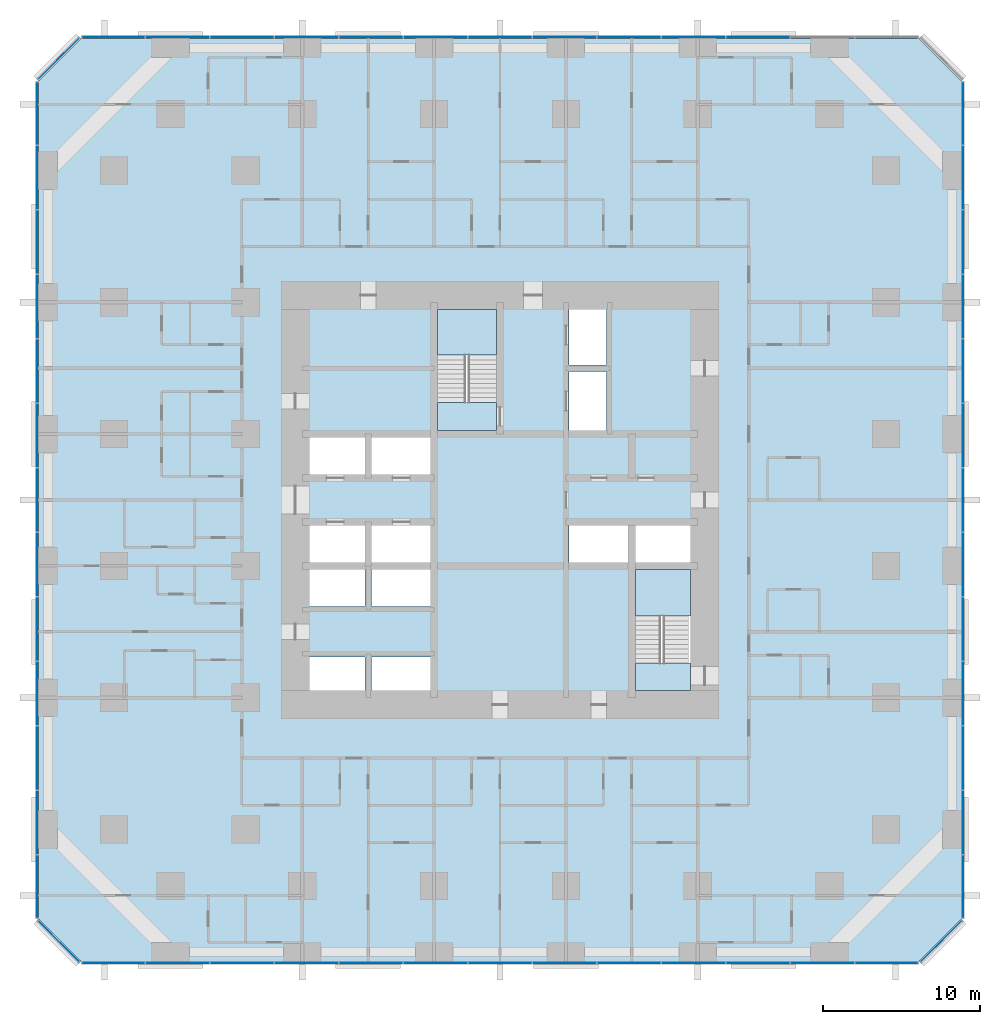
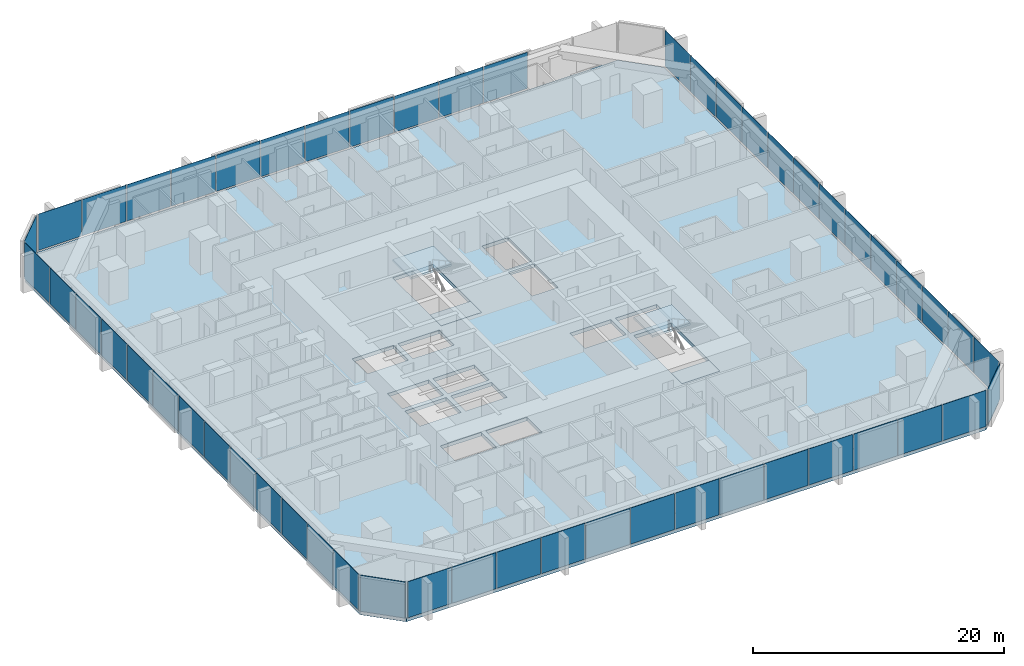
# One storey, part 9 of 17: 53 plates, 5 slabs, 9 elements without a shape of their own.
"""IFC4 building model written with IfcOpenShell, lengths in metres."""

from ifc_helpers import new_model, si_unit, direction, frame, origin, origin_2d, place, context, subcontext, project, spatial, polyline, rectangle, outline, extrude, material, layer, layer_set, type_object, element, aggregate, save


model = new_model("IFC4")

# Units and contexts
model_context = context("Model", 3, precision=1e-05, world=origin(), true_north=direction((0.0, 1.0)))
body_context = subcontext(model_context, "Body", "Model", "MODEL_VIEW")
ifc_project = project(units=[si_unit("LENGTHUNIT", "METRE"), si_unit("AREAUNIT", "SQUARE_METRE"), si_unit("VOLUMEUNIT", "CUBIC_METRE"), si_unit("PLANEANGLEUNIT", "RADIAN"), si_unit("MASSUNIT", "GRAM", prefix="KILO")], contexts=[model_context])

# Site, building, storey
site_placement = place(None, origin())
site = spatial("IfcSite", under=ifc_project, at=site_placement, CompositionType="ELEMENT")
building_placement = place(site_placement, origin())
building = spatial("IfcBuilding", under=site, at=building_placement, Name="Dunama Terrace Hotel", CompositionType="ELEMENT")
storey_placement = place(building_placement, frame((0.0, 0.0, 48.60009765625)))
storey = spatial("IfcBuildingStorey", under=building, at=storey_placement, Name="L11", CompositionType="ELEMENT", Elevation=48.60009765625)

# Curtain wall, plates
ifc_material_1 = material(Name="Aluminium curtain wall system", Category="aluminium")
curtain_wall_type = type_object("IfcCurtainWallType", Name="Unitised fritted glass wall CW-A", PredefinedType="NOTDEFINED", material=ifc_material_1)
curtain_wall_1_placement = place(storey_placement, origin())
curtain_wall_1 = element("IfcCurtainWall", 1, at=curtain_wall_1_placement, inside=storey, type_object=curtain_wall_type, Name="Unitised fritted glass wall CW-A L11", PredefinedType="NOTDEFINED")
ifc_material_2 = material(Name="Laminated glass", Category="glass")
ifc_layer_1 = layer(ifc_material_2, 0.030029296875)
ifc_layer_set_1 = layer_set([ifc_layer_1], Name="CWA clear glass panel")
plate_type_1 = type_object("IfcPlateType", Name="CWA clear glass panel", PredefinedType="CURTAIN_PANEL", material=ifc_layer_set_1)
plate_1_placement = place(storey_placement, frame((12.968994140625, -0.10009765625, 0.074951171875), z_axis=(0.0, 0.0, 1.0), x_axis=(1.0, 0.0, 0.0)))
plate_1 = element("IfcPlate", 2, at=plate_1_placement, type_object=plate_type_1, Name="CWA clear glass panel", PredefinedType="CURTAIN_PANEL", context=body_context, shape_type="SweptSolid", body=[
    extrude(rectangle(XDim=4.042724609375, YDim=0.030029296875, at=origin_2d()), origin(), (0.0, 0.0, 1.0), 3.52490234375),
])
plate_2_placement = place(storey_placement, frame((25.2919921875, -0.10009765625, 0.074951171875), z_axis=(0.0, 0.0, 1.0), x_axis=(1.0, 0.0, 0.0)))
plate_2 = element("IfcPlate", 3, at=plate_2_placement, type_object=plate_type_1, Name="CWA clear glass panel", PredefinedType="CURTAIN_PANEL", context=body_context, shape_type="SweptSolid", body=[
    extrude(rectangle(XDim=4.042724609375, YDim=0.030029296875, at=origin_2d()), origin(), (0.0, 0.0, 1.0), 3.52490234375),
])
plate_3_placement = place(storey_placement, frame((37.614990234375, -0.10009765625, 0.074951171875), z_axis=(0.0, 0.0, 1.0), x_axis=(1.0, 0.0, 0.0)))
plate_3 = element("IfcPlate", 4, at=plate_3_placement, type_object=plate_type_1, Name="CWA clear glass panel", PredefinedType="CURTAIN_PANEL", context=body_context, shape_type="SweptSolid", body=[
    extrude(rectangle(XDim=4.042724609375, YDim=0.030029296875, at=origin_2d()), origin(), (0.0, 0.0, 1.0), 3.52490234375),
])
plate_4_placement = place(storey_placement, frame((49.93798828125, -0.10009765625, 0.074951171875), z_axis=(0.0, 0.0, 1.0), x_axis=(1.0, 0.0, 0.0)))
plate_4 = element("IfcPlate", 5, at=plate_4_placement, type_object=plate_type_1, Name="CWA clear glass panel", PredefinedType="CURTAIN_PANEL", context=body_context, shape_type="SweptSolid", body=[
    extrude(rectangle(XDim=4.042724609375, YDim=0.030029296875, at=origin_2d()), origin(), (0.0, 0.0, 1.0), 3.52490234375),
])

curtain_wall_2_placement = place(storey_placement, origin())
curtain_wall_2 = element("IfcCurtainWall", 6, at=curtain_wall_2_placement, inside=storey, type_object=curtain_wall_type, Name="Unitised fritted glass wall CW-A L11", PredefinedType="NOTDEFINED")
plate_5_placement = place(storey_placement, frame((58.89990234375, 4.77001953125, 0.074951171875), z_axis=(0.0, 0.0, 1.0), x_axis=(0.0, 1.0, 0.0)))
plate_5 = element("IfcPlate", 7, at=plate_5_placement, type_object=plate_type_1, Name="CWA clear glass panel", PredefinedType="CURTAIN_PANEL", context=body_context, shape_type="SweptSolid", body=[
    extrude(rectangle(XDim=4.01025390625, YDim=0.030029296875, at=origin_2d()), origin(), (0.0, 0.0, 1.0), 3.52490234375),
])
plate_6_placement = place(storey_placement, frame((58.89990234375, 17.076904296875, 0.074951171875), z_axis=(0.0, 0.0, 1.0), x_axis=(0.0, 1.0, 0.0)))
plate_6 = element("IfcPlate", 8, at=plate_6_placement, type_object=plate_type_1, Name="CWA clear glass panel", PredefinedType="CURTAIN_PANEL", context=body_context, shape_type="SweptSolid", body=[
    extrude(rectangle(XDim=4.042724609375, YDim=0.030029296875, at=origin_2d()), origin(), (0.0, 0.0, 1.0), 3.52490234375),
])
plate_7_placement = place(storey_placement, frame((58.89990234375, 29.39990234375, 0.074951171875), z_axis=(0.0, 0.0, 1.0), x_axis=(0.0, 1.0, 0.0)))
plate_7 = element("IfcPlate", 9, at=plate_7_placement, type_object=plate_type_1, Name="CWA clear glass panel", PredefinedType="CURTAIN_PANEL", context=body_context, shape_type="SweptSolid", body=[
    extrude(rectangle(XDim=4.042724609375, YDim=0.030029296875, at=origin_2d()), origin(), (0.0, 0.0, 1.0), 3.52490234375),
])
plate_8_placement = place(storey_placement, frame((58.89990234375, 41.722900390625, 0.074951171875), z_axis=(0.0, 0.0, 1.0), x_axis=(0.0, 1.0, 0.0)))
plate_8 = element("IfcPlate", 10, at=plate_8_placement, type_object=plate_type_1, Name="CWA clear glass panel", PredefinedType="CURTAIN_PANEL", context=body_context, shape_type="SweptSolid", body=[
    extrude(rectangle(XDim=4.042724609375, YDim=0.030029296875, at=origin_2d()), origin(), (0.0, 0.0, 1.0), 3.52490234375),
])
plate_9_placement = place(storey_placement, frame((58.89990234375, 54.030029296875, 0.074951171875), z_axis=(0.0, 0.0, 1.0), x_axis=(0.0, 1.0, 0.0)))
plate_9 = element("IfcPlate", 11, at=plate_9_placement, type_object=plate_type_1, Name="CWA clear glass panel", PredefinedType="CURTAIN_PANEL", context=body_context, shape_type="SweptSolid", body=[
    extrude(rectangle(XDim=4.01025390625, YDim=0.030029296875, at=origin_2d()), origin(), (0.0, 0.0, 1.0), 3.52490234375),
])

curtain_wall_3_placement = place(storey_placement, origin())
curtain_wall_3 = element("IfcCurtainWall", 12, at=curtain_wall_3_placement, inside=storey, type_object=curtain_wall_type, Name="Unitised fritted glass wall CW-A L11", PredefinedType="NOTDEFINED")
plate_10_placement = place(storey_placement, frame((37.614990234375, 58.89990234375, 0.074951171875), z_axis=(0.0, 0.0, 1.0), x_axis=(-1.0, 0.0, 0.0)))
plate_10 = element("IfcPlate", 13, at=plate_10_placement, type_object=plate_type_1, Name="CWA clear glass panel", PredefinedType="CURTAIN_PANEL", context=body_context, shape_type="SweptSolid", body=[
    extrude(rectangle(XDim=4.042724609375, YDim=0.030029296875, at=origin_2d()), origin(), (0.0, 0.0, 1.0), 3.52490234375),
])
plate_11_placement = place(storey_placement, frame((25.2919921875, 58.89990234375, 0.074951171875), z_axis=(0.0, 0.0, 1.0), x_axis=(-1.0, 0.0, 0.0)))
plate_11 = element("IfcPlate", 14, at=plate_11_placement, type_object=plate_type_1, Name="CWA clear glass panel", PredefinedType="CURTAIN_PANEL", context=body_context, shape_type="SweptSolid", body=[
    extrude(rectangle(XDim=4.042724609375, YDim=0.030029296875, at=origin_2d()), origin(), (0.0, 0.0, 1.0), 3.52490234375),
])
plate_12_placement = place(storey_placement, frame((12.968994140625, 58.89990234375, 0.074951171875), z_axis=(0.0, 0.0, 1.0), x_axis=(-1.0, 0.0, 0.0)))
plate_12 = element("IfcPlate", 15, at=plate_12_placement, type_object=plate_type_1, Name="CWA clear glass panel", PredefinedType="CURTAIN_PANEL", context=body_context, shape_type="SweptSolid", body=[
    extrude(rectangle(XDim=4.042724609375, YDim=0.030029296875, at=origin_2d()), origin(), (0.0, 0.0, 1.0), 3.52490234375),
])

# Curtain wall, plate
curtain_wall_4_placement = place(storey_placement, origin())
curtain_wall_4 = element("IfcCurtainWall", 16, at=curtain_wall_4_placement, inside=storey, type_object=curtain_wall_type, Name="Unitised fritted glass wall CW-A L11", PredefinedType="NOTDEFINED")
plate_13_placement = place(storey_placement, frame((1.279052734375, 57.52099609375, 0.074951171875), z_axis=(0.0, 0.0, 1.0), x_axis=(-0.707106781187, -0.707106781187, 0.0)))
plate_13 = element("IfcPlate", 17, at=plate_13_placement, type_object=plate_type_1, Name="CWA clear glass panel", PredefinedType="CURTAIN_PANEL", context=body_context, shape_type="SweptSolid", body=[
    extrude(rectangle(XDim=3.6884765625, YDim=0.030029296875, at=origin_2d()), origin(), (0.0, 0.0, 1.0), 3.52490234375),
])
aggregate(curtain_wall_4, [plate_13])

# Curtain wall, plates
curtain_wall_5_placement = place(storey_placement, origin())
curtain_wall_5 = element("IfcCurtainWall", 18, at=curtain_wall_5_placement, inside=storey, type_object=curtain_wall_type, Name="Unitised fritted glass wall CW-A L11", PredefinedType="NOTDEFINED")
plate_14_placement = place(storey_placement, frame((-0.10009765625, 45.8310546875, 0.074951171875), z_axis=(0.0, 0.0, 1.0), x_axis=(0.0, -1.0, 0.0)))
plate_14 = element("IfcPlate", 19, at=plate_14_placement, type_object=plate_type_1, Name="CWA clear glass panel", PredefinedType="CURTAIN_PANEL", context=body_context, shape_type="SweptSolid", body=[
    extrude(rectangle(XDim=4.042724609375, YDim=0.030029296875, at=origin_2d()), origin(), (0.0, 0.0, 1.0), 3.52490234375),
])
plate_15_placement = place(storey_placement, frame((-0.10009765625, 33.508056640625, 0.074951171875), z_axis=(0.0, 0.0, 1.0), x_axis=(0.0, -1.0, 0.0)))
plate_15 = element("IfcPlate", 20, at=plate_15_placement, type_object=plate_type_1, Name="CWA clear glass panel", PredefinedType="CURTAIN_PANEL", context=body_context, shape_type="SweptSolid", body=[
    extrude(rectangle(XDim=4.042724609375, YDim=0.030029296875, at=origin_2d()), origin(), (0.0, 0.0, 1.0), 3.52490234375),
])
plate_16_placement = place(storey_placement, frame((-0.10009765625, 21.18505859375, 0.074951171875), z_axis=(0.0, 0.0, 1.0), x_axis=(0.0, -1.0, 0.0)))
plate_16 = element("IfcPlate", 21, at=plate_16_placement, type_object=plate_type_1, Name="CWA clear glass panel", PredefinedType="CURTAIN_PANEL", context=body_context, shape_type="SweptSolid", body=[
    extrude(rectangle(XDim=4.042724609375, YDim=0.030029296875, at=origin_2d()), origin(), (0.0, 0.0, 1.0), 3.52490234375),
])
plate_17_placement = place(storey_placement, frame((-0.10009765625, 8.862060546875, 0.074951171875), z_axis=(0.0, 0.0, 1.0), x_axis=(0.0, -1.0, 0.0)))
plate_17 = element("IfcPlate", 22, at=plate_17_placement, type_object=plate_type_1, Name="CWA clear glass panel", PredefinedType="CURTAIN_PANEL", context=body_context, shape_type="SweptSolid", body=[
    extrude(rectangle(XDim=4.042724609375, YDim=0.030029296875, at=origin_2d()), origin(), (0.0, 0.0, 1.0), 3.52490234375),
])

# Plate
ifc_material_3 = material(Name="Fritted laminated glass", Category="glass")
ifc_layer_2 = layer(ifc_material_3, 0.030029296875)
ifc_layer_set_2 = layer_set([ifc_layer_2], Name="CWA fritted glass panel")
plate_type_2 = type_object("IfcPlateType", Name="CWA fritted glass panel", PredefinedType="CURTAIN_PANEL", material=ifc_layer_set_2)
plate_18_placement = place(storey_placement, frame((8.862060546875, -0.10009765625, 0.074951171875), z_axis=(0.0, 0.0, 1.0), x_axis=(1.0, 0.0, 0.0)))
plate_18 = element("IfcPlate", 23, at=plate_18_placement, type_object=plate_type_2, Name="CWA fritted glass panel", PredefinedType="CURTAIN_PANEL", context=body_context, shape_type="SweptSolid", body=[
    extrude(rectangle(XDim=4.042724609375, YDim=0.030029296875, at=origin_2d()), origin(), (0.0, 0.0, 1.0), 3.52490234375),
])

plate_19_placement = place(storey_placement, frame((21.18505859375, -0.10009765625, 0.074951171875), z_axis=(0.0, 0.0, 1.0), x_axis=(1.0, 0.0, 0.0)))
plate_19 = element("IfcPlate", 24, at=plate_19_placement, type_object=plate_type_2, Name="CWA fritted glass panel", PredefinedType="CURTAIN_PANEL", context=body_context, shape_type="SweptSolid", body=[
    extrude(rectangle(XDim=4.042724609375, YDim=0.030029296875, at=origin_2d()), origin(), (0.0, 0.0, 1.0), 3.52490234375),
])

plate_20_placement = place(storey_placement, frame((33.508056640625, -0.10009765625, 0.074951171875), z_axis=(0.0, 0.0, 1.0), x_axis=(1.0, 0.0, 0.0)))
plate_20 = element("IfcPlate", 25, at=plate_20_placement, type_object=plate_type_2, Name="CWA fritted glass panel", PredefinedType="CURTAIN_PANEL", context=body_context, shape_type="SweptSolid", body=[
    extrude(rectangle(XDim=4.042724609375, YDim=0.030029296875, at=origin_2d()), origin(), (0.0, 0.0, 1.0), 3.52490234375),
])

plate_21_placement = place(storey_placement, frame((45.8310546875, -0.10009765625, 0.074951171875), z_axis=(0.0, 0.0, 1.0), x_axis=(1.0, 0.0, 0.0)))
plate_21 = element("IfcPlate", 26, at=plate_21_placement, type_object=plate_type_2, Name="CWA fritted glass panel", PredefinedType="CURTAIN_PANEL", context=body_context, shape_type="SweptSolid", body=[
    extrude(rectangle(XDim=4.042724609375, YDim=0.030029296875, at=origin_2d()), origin(), (0.0, 0.0, 1.0), 3.52490234375),
])

# Curtain wall, plate
curtain_wall_6_placement = place(storey_placement, origin())
curtain_wall_6 = element("IfcCurtainWall", 27, at=curtain_wall_6_placement, inside=storey, type_object=curtain_wall_type, Name="Unitised fritted glass wall CW-A L11", PredefinedType="NOTDEFINED")
plate_22_placement = place(storey_placement, frame((57.52099609375, 1.279052734375, 0.074951171875), z_axis=(0.0, 0.0, 1.0), x_axis=(0.707106781187, 0.707106781187, 0.0)))
plate_22 = element("IfcPlate", 28, at=plate_22_placement, type_object=plate_type_2, Name="CWA fritted glass panel", PredefinedType="CURTAIN_PANEL", context=body_context, shape_type="SweptSolid", body=[
    extrude(rectangle(XDim=3.6884765625, YDim=0.030029296875, at=origin_2d()), origin(), (0.0, 0.0, 1.0), 3.52490234375),
])
aggregate(curtain_wall_6, [plate_22])

# Plate
plate_23_placement = place(storey_placement, frame((58.89990234375, 12.968994140625, 0.074951171875), z_axis=(0.0, 0.0, 1.0), x_axis=(0.0, 1.0, 0.0)))
plate_23 = element("IfcPlate", 29, at=plate_23_placement, type_object=plate_type_2, Name="CWA fritted glass panel", PredefinedType="CURTAIN_PANEL", context=body_context, shape_type="SweptSolid", body=[
    extrude(rectangle(XDim=4.042724609375, YDim=0.030029296875, at=origin_2d()), origin(), (0.0, 0.0, 1.0), 3.52490234375),
])

plate_24_placement = place(storey_placement, frame((58.89990234375, 25.2919921875, 0.074951171875), z_axis=(0.0, 0.0, 1.0), x_axis=(0.0, 1.0, 0.0)))
plate_24 = element("IfcPlate", 30, at=plate_24_placement, type_object=plate_type_2, Name="CWA fritted glass panel", PredefinedType="CURTAIN_PANEL", context=body_context, shape_type="SweptSolid", body=[
    extrude(rectangle(XDim=4.042724609375, YDim=0.030029296875, at=origin_2d()), origin(), (0.0, 0.0, 1.0), 3.52490234375),
])

plate_25_placement = place(storey_placement, frame((58.89990234375, 37.614990234375, 0.074951171875), z_axis=(0.0, 0.0, 1.0), x_axis=(0.0, 1.0, 0.0)))
plate_25 = element("IfcPlate", 31, at=plate_25_placement, type_object=plate_type_2, Name="CWA fritted glass panel", PredefinedType="CURTAIN_PANEL", context=body_context, shape_type="SweptSolid", body=[
    extrude(rectangle(XDim=4.042724609375, YDim=0.030029296875, at=origin_2d()), origin(), (0.0, 0.0, 1.0), 3.52490234375),
])

plate_26_placement = place(storey_placement, frame((58.89990234375, 49.93798828125, 0.074951171875), z_axis=(0.0, 0.0, 1.0), x_axis=(0.0, 1.0, 0.0)))
plate_26 = element("IfcPlate", 32, at=plate_26_placement, type_object=plate_type_2, Name="CWA fritted glass panel", PredefinedType="CURTAIN_PANEL", context=body_context, shape_type="SweptSolid", body=[
    extrude(rectangle(XDim=4.042724609375, YDim=0.030029296875, at=origin_2d()), origin(), (0.0, 0.0, 1.0), 3.52490234375),
])

plate_27_placement = place(storey_placement, frame((41.722900390625, 58.89990234375, 0.074951171875), z_axis=(0.0, 0.0, 1.0), x_axis=(-1.0, 0.0, 0.0)))
plate_27 = element("IfcPlate", 33, at=plate_27_placement, type_object=plate_type_2, Name="CWA fritted glass panel", PredefinedType="CURTAIN_PANEL", context=body_context, shape_type="SweptSolid", body=[
    extrude(rectangle(XDim=4.042724609375, YDim=0.030029296875, at=origin_2d()), origin(), (0.0, 0.0, 1.0), 3.52490234375),
])

plate_28_placement = place(storey_placement, frame((29.39990234375, 58.89990234375, 0.074951171875), z_axis=(0.0, 0.0, 1.0), x_axis=(-1.0, 0.0, 0.0)))
plate_28 = element("IfcPlate", 34, at=plate_28_placement, type_object=plate_type_2, Name="CWA fritted glass panel", PredefinedType="CURTAIN_PANEL", context=body_context, shape_type="SweptSolid", body=[
    extrude(rectangle(XDim=4.042724609375, YDim=0.030029296875, at=origin_2d()), origin(), (0.0, 0.0, 1.0), 3.52490234375),
])

plate_29_placement = place(storey_placement, frame((17.076904296875, 58.89990234375, 0.074951171875), z_axis=(0.0, 0.0, 1.0), x_axis=(-1.0, 0.0, 0.0)))
plate_29 = element("IfcPlate", 35, at=plate_29_placement, type_object=plate_type_2, Name="CWA fritted glass panel", PredefinedType="CURTAIN_PANEL", context=body_context, shape_type="SweptSolid", body=[
    extrude(rectangle(XDim=4.042724609375, YDim=0.030029296875, at=origin_2d()), origin(), (0.0, 0.0, 1.0), 3.52490234375),
])

plate_30_placement = place(storey_placement, frame((4.77001953125, 58.89990234375, 0.074951171875), z_axis=(0.0, 0.0, 1.0), x_axis=(-1.0, 0.0, 0.0)))
plate_30 = element("IfcPlate", 36, at=plate_30_placement, type_object=plate_type_2, Name="CWA fritted glass panel", PredefinedType="CURTAIN_PANEL", context=body_context, shape_type="SweptSolid", body=[
    extrude(rectangle(XDim=4.01025390625, YDim=0.030029296875, at=origin_2d()), origin(), (0.0, 0.0, 1.0), 3.52490234375),
])

plate_31_placement = place(storey_placement, frame((-0.10009765625, 49.93798828125, 0.074951171875), z_axis=(0.0, 0.0, 1.0), x_axis=(0.0, -1.0, 0.0)))
plate_31 = element("IfcPlate", 37, at=plate_31_placement, type_object=plate_type_2, Name="CWA fritted glass panel", PredefinedType="CURTAIN_PANEL", context=body_context, shape_type="SweptSolid", body=[
    extrude(rectangle(XDim=4.042724609375, YDim=0.030029296875, at=origin_2d()), origin(), (0.0, 0.0, 1.0), 3.52490234375),
])

plate_32_placement = place(storey_placement, frame((-0.10009765625, 37.614990234375, 0.074951171875), z_axis=(0.0, 0.0, 1.0), x_axis=(0.0, -1.0, 0.0)))
plate_32 = element("IfcPlate", 38, at=plate_32_placement, type_object=plate_type_2, Name="CWA fritted glass panel", PredefinedType="CURTAIN_PANEL", context=body_context, shape_type="SweptSolid", body=[
    extrude(rectangle(XDim=4.042724609375, YDim=0.030029296875, at=origin_2d()), origin(), (0.0, 0.0, 1.0), 3.52490234375),
])

plate_33_placement = place(storey_placement, frame((-0.10009765625, 25.2919921875, 0.074951171875), z_axis=(0.0, 0.0, 1.0), x_axis=(0.0, -1.0, 0.0)))
plate_33 = element("IfcPlate", 39, at=plate_33_placement, type_object=plate_type_2, Name="CWA fritted glass panel", PredefinedType="CURTAIN_PANEL", context=body_context, shape_type="SweptSolid", body=[
    extrude(rectangle(XDim=4.042724609375, YDim=0.030029296875, at=origin_2d()), origin(), (0.0, 0.0, 1.0), 3.52490234375),
])

plate_34_placement = place(storey_placement, frame((-0.10009765625, 12.968994140625, 0.074951171875), z_axis=(0.0, 0.0, 1.0), x_axis=(0.0, -1.0, 0.0)))
plate_34 = element("IfcPlate", 40, at=plate_34_placement, type_object=plate_type_2, Name="CWA fritted glass panel", PredefinedType="CURTAIN_PANEL", context=body_context, shape_type="SweptSolid", body=[
    extrude(rectangle(XDim=4.042724609375, YDim=0.030029296875, at=origin_2d()), origin(), (0.0, 0.0, 1.0), 3.52490234375),
])

# Curtain wall, plate
curtain_wall_7_placement = place(storey_placement, origin())
curtain_wall_7 = element("IfcCurtainWall", 41, at=curtain_wall_7_placement, inside=storey, type_object=curtain_wall_type, Name="Unitised fritted glass wall CW-A L11", PredefinedType="NOTDEFINED")
plate_35_placement = place(storey_placement, frame((1.279052734375, 1.279052734375, 0.074951171875), z_axis=(0.0, 0.0, 1.0), x_axis=(0.707106781187, -0.707106781187, 0.0)))
plate_35 = element("IfcPlate", 42, at=plate_35_placement, type_object=plate_type_2, Name="CWA fritted glass panel", PredefinedType="CURTAIN_PANEL", context=body_context, shape_type="SweptSolid", body=[
    extrude(rectangle(XDim=3.6884765625, YDim=0.030029296875, at=origin_2d()), origin(), (0.0, 0.0, 1.0), 3.52490234375),
])
aggregate(curtain_wall_7, [plate_35])

# Plate
ifc_material_4 = material(Name="Laminated glass", Category="glass")
ifc_layer_3 = layer(ifc_material_4, 0.030029296875)
ifc_layer_set_3 = layer_set([ifc_layer_3], Name="CWA operable glass panel")
plate_type_3 = type_object("IfcPlateType", Name="CWA operable glass panel", PredefinedType="CURTAIN_PANEL", material=ifc_layer_set_3)
plate_36_placement = place(storey_placement, frame((4.77001953125, -0.10009765625, 0.074951171875), z_axis=(0.0, 0.0, 1.0), x_axis=(1.0, 0.0, 0.0)))
plate_36 = element("IfcPlate", 43, at=plate_36_placement, type_object=plate_type_3, Name="CWA operable glass panel", PredefinedType="CURTAIN_PANEL", context=body_context, shape_type="SweptSolid", body=[
    extrude(rectangle(XDim=4.01025390625, YDim=0.030029296875, at=origin_2d()), origin(), (0.0, 0.0, 1.0), 3.52490234375),
])

plate_37_placement = place(storey_placement, frame((17.076904296875, -0.10009765625, 0.074951171875), z_axis=(0.0, 0.0, 1.0), x_axis=(1.0, 0.0, 0.0)))
plate_37 = element("IfcPlate", 44, at=plate_37_placement, type_object=plate_type_3, Name="CWA operable glass panel", PredefinedType="CURTAIN_PANEL", context=body_context, shape_type="SweptSolid", body=[
    extrude(rectangle(XDim=4.042724609375, YDim=0.030029296875, at=origin_2d()), origin(), (0.0, 0.0, 1.0), 3.52490234375),
])

plate_38_placement = place(storey_placement, frame((29.39990234375, -0.10009765625, 0.074951171875), z_axis=(0.0, 0.0, 1.0), x_axis=(1.0, 0.0, 0.0)))
plate_38 = element("IfcPlate", 45, at=plate_38_placement, type_object=plate_type_3, Name="CWA operable glass panel", PredefinedType="CURTAIN_PANEL", context=body_context, shape_type="SweptSolid", body=[
    extrude(rectangle(XDim=4.042724609375, YDim=0.030029296875, at=origin_2d()), origin(), (0.0, 0.0, 1.0), 3.52490234375),
])

plate_39_placement = place(storey_placement, frame((41.722900390625, -0.10009765625, 0.074951171875), z_axis=(0.0, 0.0, 1.0), x_axis=(1.0, 0.0, 0.0)))
plate_39 = element("IfcPlate", 46, at=plate_39_placement, type_object=plate_type_3, Name="CWA operable glass panel", PredefinedType="CURTAIN_PANEL", context=body_context, shape_type="SweptSolid", body=[
    extrude(rectangle(XDim=4.042724609375, YDim=0.030029296875, at=origin_2d()), origin(), (0.0, 0.0, 1.0), 3.52490234375),
])

plate_40_placement = place(storey_placement, frame((54.030029296875, -0.10009765625, 0.074951171875), z_axis=(0.0, 0.0, 1.0), x_axis=(1.0, 0.0, 0.0)))
plate_40 = element("IfcPlate", 47, at=plate_40_placement, type_object=plate_type_3, Name="CWA operable glass panel", PredefinedType="CURTAIN_PANEL", context=body_context, shape_type="SweptSolid", body=[
    extrude(rectangle(XDim=4.01025390625, YDim=0.030029296875, at=origin_2d()), origin(), (0.0, 0.0, 1.0), 3.52490234375),
])

aggregate(curtain_wall_1, [plate_36, plate_18, plate_1, plate_37, plate_19, plate_2, plate_38, plate_20, plate_3, plate_39, plate_21, plate_4, plate_40])

plate_41_placement = place(storey_placement, frame((58.89990234375, 8.862060546875, 0.074951171875), z_axis=(0.0, 0.0, 1.0), x_axis=(0.0, 1.0, 0.0)))
plate_41 = element("IfcPlate", 48, at=plate_41_placement, type_object=plate_type_3, Name="CWA operable glass panel", PredefinedType="CURTAIN_PANEL", context=body_context, shape_type="SweptSolid", body=[
    extrude(rectangle(XDim=4.042724609375, YDim=0.030029296875, at=origin_2d()), origin(), (0.0, 0.0, 1.0), 3.52490234375),
])

plate_42_placement = place(storey_placement, frame((58.89990234375, 21.18505859375, 0.074951171875), z_axis=(0.0, 0.0, 1.0), x_axis=(0.0, 1.0, 0.0)))
plate_42 = element("IfcPlate", 49, at=plate_42_placement, type_object=plate_type_3, Name="CWA operable glass panel", PredefinedType="CURTAIN_PANEL", context=body_context, shape_type="SweptSolid", body=[
    extrude(rectangle(XDim=4.042724609375, YDim=0.030029296875, at=origin_2d()), origin(), (0.0, 0.0, 1.0), 3.52490234375),
])

plate_43_placement = place(storey_placement, frame((58.89990234375, 33.508056640625, 0.074951171875), z_axis=(0.0, 0.0, 1.0), x_axis=(0.0, 1.0, 0.0)))
plate_43 = element("IfcPlate", 50, at=plate_43_placement, type_object=plate_type_3, Name="CWA operable glass panel", PredefinedType="CURTAIN_PANEL", context=body_context, shape_type="SweptSolid", body=[
    extrude(rectangle(XDim=4.042724609375, YDim=0.030029296875, at=origin_2d()), origin(), (0.0, 0.0, 1.0), 3.52490234375),
])

plate_44_placement = place(storey_placement, frame((58.89990234375, 45.8310546875, 0.074951171875), z_axis=(0.0, 0.0, 1.0), x_axis=(0.0, 1.0, 0.0)))
plate_44 = element("IfcPlate", 51, at=plate_44_placement, type_object=plate_type_3, Name="CWA operable glass panel", PredefinedType="CURTAIN_PANEL", context=body_context, shape_type="SweptSolid", body=[
    extrude(rectangle(XDim=4.042724609375, YDim=0.030029296875, at=origin_2d()), origin(), (0.0, 0.0, 1.0), 3.52490234375),
])

aggregate(curtain_wall_2, [plate_5, plate_41, plate_23, plate_6, plate_42, plate_24, plate_7, plate_43, plate_25, plate_8, plate_44, plate_26, plate_9])

plate_45_placement = place(storey_placement, frame((45.8310546875, 58.89990234375, 0.074951171875), z_axis=(0.0, 0.0, 1.0), x_axis=(-1.0, 0.0, 0.0)))
plate_45 = element("IfcPlate", 52, at=plate_45_placement, type_object=plate_type_3, Name="CWA operable glass panel", PredefinedType="CURTAIN_PANEL", context=body_context, shape_type="SweptSolid", body=[
    extrude(rectangle(XDim=4.042724609375, YDim=0.030029296875, at=origin_2d()), origin(), (0.0, 0.0, 1.0), 3.52490234375),
])

plate_46_placement = place(storey_placement, frame((33.508056640625, 58.89990234375, 0.074951171875), z_axis=(0.0, 0.0, 1.0), x_axis=(-1.0, 0.0, 0.0)))
plate_46 = element("IfcPlate", 53, at=plate_46_placement, type_object=plate_type_3, Name="CWA operable glass panel", PredefinedType="CURTAIN_PANEL", context=body_context, shape_type="SweptSolid", body=[
    extrude(rectangle(XDim=4.042724609375, YDim=0.030029296875, at=origin_2d()), origin(), (0.0, 0.0, 1.0), 3.52490234375),
])

plate_47_placement = place(storey_placement, frame((21.18505859375, 58.89990234375, 0.074951171875), z_axis=(0.0, 0.0, 1.0), x_axis=(-1.0, 0.0, 0.0)))
plate_47 = element("IfcPlate", 54, at=plate_47_placement, type_object=plate_type_3, Name="CWA operable glass panel", PredefinedType="CURTAIN_PANEL", context=body_context, shape_type="SweptSolid", body=[
    extrude(rectangle(XDim=4.042724609375, YDim=0.030029296875, at=origin_2d()), origin(), (0.0, 0.0, 1.0), 3.52490234375),
])

plate_48_placement = place(storey_placement, frame((8.862060546875, 58.89990234375, 0.074951171875), z_axis=(0.0, 0.0, 1.0), x_axis=(-1.0, 0.0, 0.0)))
plate_48 = element("IfcPlate", 55, at=plate_48_placement, type_object=plate_type_3, Name="CWA operable glass panel", PredefinedType="CURTAIN_PANEL", context=body_context, shape_type="SweptSolid", body=[
    extrude(rectangle(XDim=4.042724609375, YDim=0.030029296875, at=origin_2d()), origin(), (0.0, 0.0, 1.0), 3.52490234375),
])

aggregate(curtain_wall_3, [plate_45, plate_27, plate_10, plate_46, plate_28, plate_11, plate_47, plate_29, plate_12, plate_48, plate_30])

plate_49_placement = place(storey_placement, frame((-0.10009765625, 54.030029296875, 0.074951171875), z_axis=(0.0, 0.0, 1.0), x_axis=(0.0, -1.0, 0.0)))
plate_49 = element("IfcPlate", 56, at=plate_49_placement, type_object=plate_type_3, Name="CWA operable glass panel", PredefinedType="CURTAIN_PANEL", context=body_context, shape_type="SweptSolid", body=[
    extrude(rectangle(XDim=4.01025390625, YDim=0.030029296875, at=origin_2d()), origin(), (0.0, 0.0, 1.0), 3.52490234375),
])

plate_50_placement = place(storey_placement, frame((-0.10009765625, 41.722900390625, 0.074951171875), z_axis=(0.0, 0.0, 1.0), x_axis=(0.0, -1.0, 0.0)))
plate_50 = element("IfcPlate", 57, at=plate_50_placement, type_object=plate_type_3, Name="CWA operable glass panel", PredefinedType="CURTAIN_PANEL", context=body_context, shape_type="SweptSolid", body=[
    extrude(rectangle(XDim=4.042724609375, YDim=0.030029296875, at=origin_2d()), origin(), (0.0, 0.0, 1.0), 3.52490234375),
])

plate_51_placement = place(storey_placement, frame((-0.10009765625, 29.39990234375, 0.074951171875), z_axis=(0.0, 0.0, 1.0), x_axis=(0.0, -1.0, 0.0)))
plate_51 = element("IfcPlate", 58, at=plate_51_placement, type_object=plate_type_3, Name="CWA operable glass panel", PredefinedType="CURTAIN_PANEL", context=body_context, shape_type="SweptSolid", body=[
    extrude(rectangle(XDim=4.042724609375, YDim=0.030029296875, at=origin_2d()), origin(), (0.0, 0.0, 1.0), 3.52490234375),
])

plate_52_placement = place(storey_placement, frame((-0.10009765625, 17.076904296875, 0.074951171875), z_axis=(0.0, 0.0, 1.0), x_axis=(0.0, -1.0, 0.0)))
plate_52 = element("IfcPlate", 59, at=plate_52_placement, type_object=plate_type_3, Name="CWA operable glass panel", PredefinedType="CURTAIN_PANEL", context=body_context, shape_type="SweptSolid", body=[
    extrude(rectangle(XDim=4.042724609375, YDim=0.030029296875, at=origin_2d()), origin(), (0.0, 0.0, 1.0), 3.52490234375),
])

plate_53_placement = place(storey_placement, frame((-0.10009765625, 4.77001953125, 0.074951171875), z_axis=(0.0, 0.0, 1.0), x_axis=(0.0, -1.0, 0.0)))
plate_53 = element("IfcPlate", 60, at=plate_53_placement, type_object=plate_type_3, Name="CWA operable glass panel", PredefinedType="CURTAIN_PANEL", context=body_context, shape_type="SweptSolid", body=[
    extrude(rectangle(XDim=4.01025390625, YDim=0.030029296875, at=origin_2d()), origin(), (0.0, 0.0, 1.0), 3.52490234375),
])

aggregate(curtain_wall_5, [plate_49, plate_31, plate_14, plate_50, plate_32, plate_15, plate_51, plate_33, plate_16, plate_52, plate_34, plate_17, plate_53])

# Slab
ifc_material_5 = material(Name="Concrete C40/50", Category="concrete")
ifc_layer_4 = layer(ifc_material_5, 0.35009765625)
ifc_layer_set_4 = layer_set([ifc_layer_4], Name="Flat plate 350")
slab_type_1 = type_object("IfcSlabType", Name="Flat plate 350", PredefinedType="FLOOR", material=ifc_layer_set_4)
slab_1_placement = place(storey_placement, frame((0.0, 0.0, -0.35009765625)))
element("IfcSlab", 61, at=slab_1_placement, inside=storey, type_object=slab_type_1, Name="Floor slab L11", PredefinedType="FLOOR", context=body_context, shape_type="SweptSolid", body=[
    extrude(outline(polyline([(2.699951171875, 0.0), (56.10009765625, 0.0), (58.800048828125, 2.699951171875), (58.800048828125, 56.10009765625), (56.10009765625, 58.800048828125), (2.699951171875, 58.800048828125), (0.0, 56.10009765625), (0.0, 2.699951171875), (2.699951171875, 0.0)]), holes=[polyline([(20.800048828125, 25.39990234375), (20.800048828125, 27.800048828125), (17.0, 27.800048828125), (17.0, 25.39990234375), (20.800048828125, 25.39990234375)]), polyline([(25.0, 25.39990234375), (25.0, 27.800048828125), (21.199951171875, 27.800048828125), (21.199951171875, 25.39990234375), (25.0, 25.39990234375)]), polyline([(20.800048828125, 31.0), (20.800048828125, 33.39990234375), (17.0, 33.39990234375), (17.0, 31.0), (20.800048828125, 31.0)]), polyline([(25.0, 31.0), (25.0, 33.39990234375), (21.199951171875, 33.39990234375), (21.199951171875, 31.0), (25.0, 31.0)]), polyline([(37.60009765625, 25.39990234375), (37.60009765625, 27.800048828125), (33.800048828125, 27.800048828125), (33.800048828125, 25.39990234375), (37.60009765625, 25.39990234375)]), polyline([(41.800048828125, 25.39990234375), (41.800048828125, 27.800048828125), (38.0, 27.800048828125), (38.0, 25.39990234375), (41.800048828125, 25.39990234375)]), polyline([(20.800048828125, 17.0), (20.800048828125, 19.39990234375), (17.0, 19.39990234375), (17.0, 17.0), (20.800048828125, 17.0)]), polyline([(25.0, 17.0), (25.0, 19.39990234375), (21.199951171875, 19.39990234375), (21.199951171875, 17.0), (25.0, 17.0)]), polyline([(20.800048828125, 22.60009765625), (20.800048828125, 25.0), (17.0, 25.0), (17.0, 22.60009765625), (20.800048828125, 22.60009765625)]), polyline([(25.0, 22.60009765625), (25.0, 25.0), (21.199951171875, 25.0), (21.199951171875, 22.60009765625), (25.0, 22.60009765625)]), polyline([(36.199951171875, 38.0), (36.199951171875, 41.800048828125), (33.800048828125, 41.800048828125), (33.800048828125, 38.0), (36.199951171875, 38.0)]), polyline([(36.199951171875, 33.800048828125), (36.199951171875, 37.60009765625), (33.800048828125, 37.60009765625), (33.800048828125, 33.800048828125), (36.199951171875, 33.800048828125)]), polyline([(29.175048828125, 33.824951171875), (29.175048828125, 41.550048828125), (25.425048828125, 41.550048828125), (25.425048828125, 33.824951171875), (29.175048828125, 33.824951171875)]), polyline([(41.550048828125, 17.25), (41.550048828125, 24.97509765625), (38.050048828125, 24.97509765625), (38.050048828125, 17.25), (41.550048828125, 17.25)])]), origin(), (0.0, 0.0, 1.0), 0.35009765625),
])

# Stair, slabs
ifc_material_6 = material(Name="Concrete C40/50", Category="concrete")
stair_type_1 = type_object("IfcStairType", Name="Stair ST1-3600-1800", PredefinedType="HALF_TURN_STAIR", material=ifc_material_6)
stair_1_placement = place(storey_placement, origin())
stair_1 = element("IfcStair", 62, at=stair_1_placement, inside=storey, type_object=stair_type_1, Name="Stair ST1 L11", PredefinedType="HALF_TURN_STAIR")
ifc_material_7 = material(Name="Concrete C40/50", Category="concrete")
ifc_layer_5 = layer(ifc_material_7, 0.199951171875)
ifc_layer_set_5 = layer_set([ifc_layer_5], Name="Stair landing 200")
slab_type_2 = type_object("IfcSlabType", Name="Stair landing 200", PredefinedType="LANDING", material=ifc_layer_set_5)
slab_2_placement = place(storey_placement, frame((0.0, 0.0, -0.2001953125)))
slab_2 = element("IfcSlab", 63, at=slab_2_placement, type_object=slab_type_2, Name="ST1 landing 1, type S10", PredefinedType="LANDING", context=body_context, shape_type="SweptSolid", body=[
    extrude(outline(polyline([(25.425048828125, 33.824951171875), (29.175048828125, 33.824951171875), (29.175048828125, 35.625), (25.425048828125, 35.625), (25.425048828125, 33.824951171875)])), origin(), (0.0, 0.0, 1.0), 0.2001953125),
])
slab_3_placement = place(storey_placement, frame((0.0, 0.0, 1.599853515625)))
slab_3 = element("IfcSlab", 64, at=slab_3_placement, type_object=slab_type_2, Name="ST1 landing 2, type S10", PredefinedType="LANDING", context=body_context, shape_type="SweptSolid", body=[
    extrude(outline(polyline([(25.425048828125, 38.625), (29.175048828125, 38.625), (29.175048828125, 41.550048828125), (25.425048828125, 41.550048828125), (25.425048828125, 38.625)])), origin(), (0.0, 0.0, 1.0), 0.199951171875),
])
aggregate(stair_1, [slab_2, slab_3])

ifc_material_8 = material(Name="Concrete C40/50", Category="concrete")
stair_type_2 = type_object("IfcStairType", Name="Stair ST2-3600-1600", PredefinedType="HALF_TURN_STAIR", material=ifc_material_8)
stair_2_placement = place(storey_placement, origin())
stair_2 = element("IfcStair", 65, at=stair_2_placement, inside=storey, type_object=stair_type_2, Name="Stair ST2 L11", PredefinedType="HALF_TURN_STAIR")
slab_4_placement = place(storey_placement, frame((0.0, 0.0, -0.2001953125)))
slab_4 = element("IfcSlab", 66, at=slab_4_placement, type_object=slab_type_2, Name="ST2 landing 1, type S10", PredefinedType="LANDING", context=body_context, shape_type="SweptSolid", body=[
    extrude(outline(polyline([(38.050048828125, 17.25), (41.550048828125, 17.25), (41.550048828125, 19.0), (38.050048828125, 19.0), (38.050048828125, 17.25)])), origin(), (0.0, 0.0, 1.0), 0.2001953125),
])
slab_5_placement = place(storey_placement, frame((0.0, 0.0, 1.599853515625)))
slab_5 = element("IfcSlab", 67, at=slab_5_placement, type_object=slab_type_2, Name="ST2 landing 2, type S10", PredefinedType="LANDING", context=body_context, shape_type="SweptSolid", body=[
    extrude(outline(polyline([(38.050048828125, 22.0), (41.550048828125, 22.0), (41.550048828125, 24.97509765625), (38.050048828125, 24.97509765625), (38.050048828125, 22.0)])), origin(), (0.0, 0.0, 1.0), 0.199951171875),
])
aggregate(stair_2, [slab_4, slab_5])

save(model, "model.ifc")
